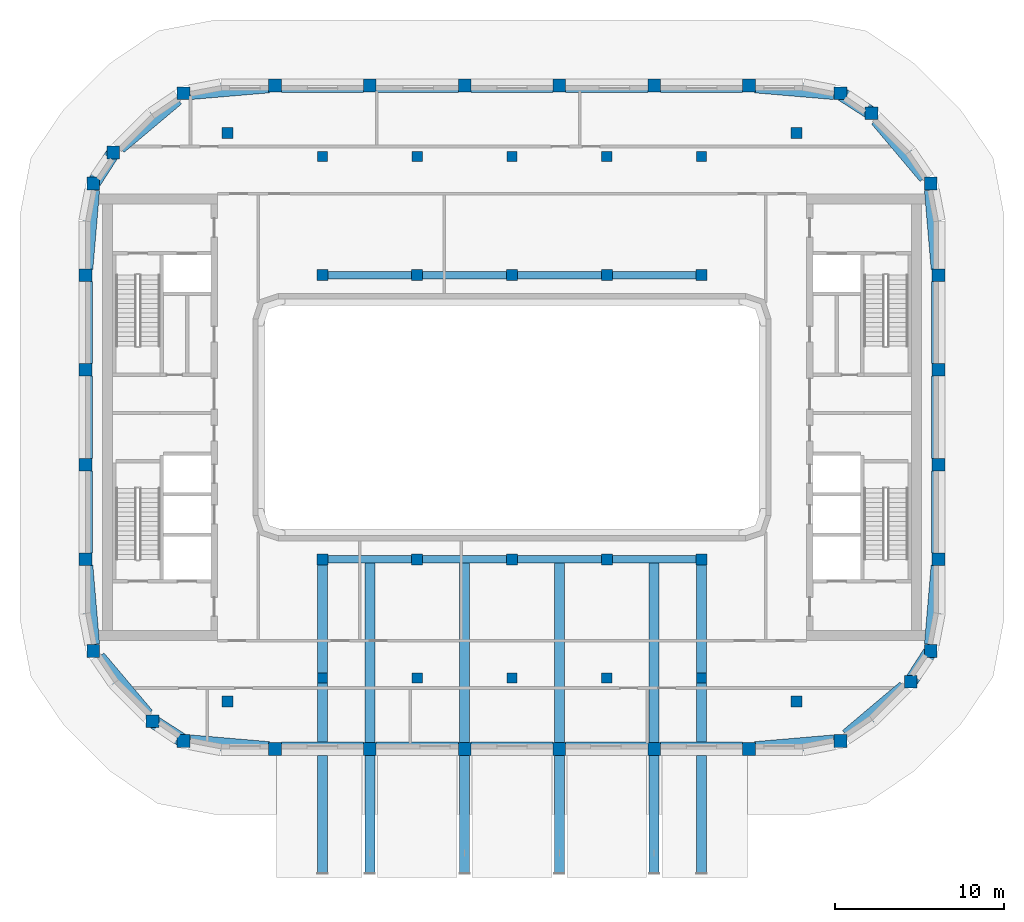
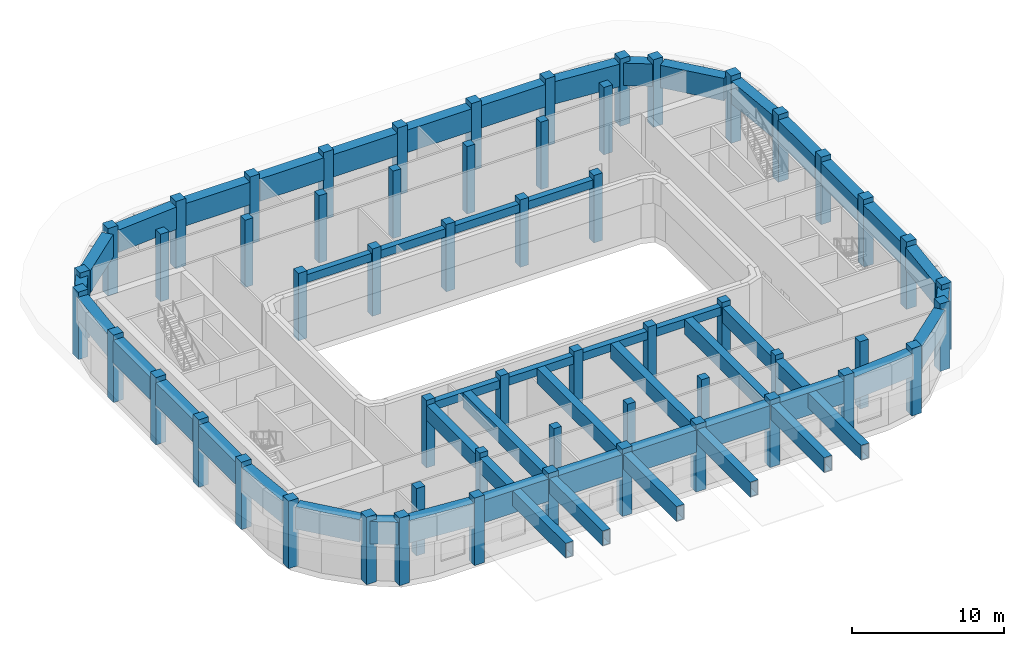
# One storey, part 1 of 17: 56 columns, 52 beams.
"""IFC4 building model written with IfcOpenShell, lengths in metres."""

from ifc_helpers import new_model, si_unit, direction, frame, origin, origin_2d, place, context, subcontext, project, spatial, rectangle, hollow_rectangle, extrude, material, material_profile, profile_set, type_object, element, save


model = new_model("IFC4")

# Units and contexts
model_context = context("Model", 3, precision=1e-05, world=origin(), true_north=direction((0.0, 1.0)))
body_context = subcontext(model_context, "Body", "Model", "MODEL_VIEW")
ifc_project = project(units=[si_unit("LENGTHUNIT", "METRE"), si_unit("AREAUNIT", "SQUARE_METRE"), si_unit("VOLUMEUNIT", "CUBIC_METRE"), si_unit("PLANEANGLEUNIT", "RADIAN"), si_unit("MASSUNIT", "GRAM", prefix="KILO")], contexts=[model_context])

# Site, building, storey
site_placement = place(None, origin())
site = spatial("IfcSite", under=ifc_project, at=site_placement, CompositionType="ELEMENT")
building_placement = place(site_placement, origin())
building = spatial("IfcBuilding", under=site, at=building_placement, Name="Kiln Ring Residences", CompositionType="ELEMENT")
storey_placement = place(building_placement, frame((0.0, 0.0, 289.10009765625)))
storey = spatial("IfcBuildingStorey", under=building, at=storey_placement, Name="L75", CompositionType="ELEMENT", Elevation=289.10009765625)

# Columns
ifc_material_1 = material(Name="Concrete C60/75", Category="concrete")
ifc_material_profile_1 = material_profile(ifc_material_1, rectangle(XDim=0.60009765625, YDim=0.60009765625, at=origin_2d()), Name="RC600x600")
ifc_profile_set_1 = profile_set([ifc_material_profile_1], Name="Concrete C60/75")
column_type_1 = type_object("IfcColumnType", Name="Corridor column RC600x600 C60/75", PredefinedType="COLUMN", material=ifc_profile_set_1)
for number, where, z_axis, x_axis, name in (
    (1, (-11.199951171875, 15.39990234375, 0.0), (0.0, 0.0, 1.0), (1.0, 0.0, 0.0), "Corridor column L75 1"),
    (2, (-5.60009765625, 15.39990234375, 0.0), (0.0, 0.0, 1.0), (1.0, 0.0, 0.0), "Corridor column L75 2"),
    (3, (0.0, 15.39990234375, 0.0), (0.0, 0.0, 1.0), (1.0, 0.0, 0.0), "Corridor column L75 3"),
    (4, (5.60009765625, 15.39990234375, 0.0), (0.0, 0.0, 1.0), (1.0, 0.0, 0.0), "Corridor column L75 4"),
    (5, (11.199951171875, 15.39990234375, 0.0), (0.0, 0.0, 1.0), (1.0, 0.0, 0.0), "Corridor column L75 5"),
    (6, (-11.199951171875, -15.39990234375, 0.0), (0.0, 0.0, 1.0), (1.0, 0.0, 0.0), "Corridor column L75 6"),
    (7, (-5.60009765625, -15.39990234375, 0.0), (0.0, 0.0, 1.0), (1.0, 0.0, 0.0), "Corridor column L75 7"),
    (8, (0.0, -15.39990234375, 0.0), (0.0, 0.0, 1.0), (1.0, 0.0, 0.0), "Corridor column L75 8"),
    (9, (5.60009765625, -15.39990234375, 0.0), (0.0, 0.0, 1.0), (1.0, 0.0, 0.0), "Corridor column L75 9"),
    (10, (11.199951171875, -15.39990234375, 0.0), (0.0, 0.0, 1.0), (1.0, 0.0, 0.0), "Corridor column L75 10"),
):
    element("IfcColumn", number, at=place(storey_placement, frame(where, z_axis=z_axis, x_axis=x_axis)), inside=storey, type_object=column_type_1, Name=name, PredefinedType="COLUMN", context=body_context, shape_type="SweptSolid", body=[
        extrude(rectangle(XDim=0.60009765625, YDim=0.60009765625, at=origin_2d()), origin(), (0.0, 0.0, 1.0), 5.39990234375),
    ])
ifc_material_2 = material(Name="Concrete C60/75", Category="concrete")
ifc_material_profile_2 = material_profile(ifc_material_2, rectangle(XDim=0.75, YDim=0.75, at=origin_2d()), Name="RC750x750")
ifc_profile_set_2 = profile_set([ifc_material_profile_2], Name="Concrete C60/75")
column_type_2 = type_object("IfcColumnType", Name="Perimeter column RC750x750 C60/75", PredefinedType="COLUMN", material=ifc_profile_set_2)
for number, where, z_axis, x_axis, name in (
    (11, (-19.40869140625, -19.13818359375, 0.0), (0.0, 0.0, 1.0), (1.0, 0.0, 0.0), "Perimeter column L75 1"),
    (12, (-14.0, -19.60009765625, 0.0), (0.0, 0.0, 1.0), (1.0, 0.0, 0.0), "Perimeter column L75 2"),
    (13, (-8.39990234375, -19.60009765625, 0.0), (0.0, 0.0, 1.0), (1.0, 0.0, 0.0), "Perimeter column L75 3"),
    (14, (-2.800048828125, -19.60009765625, 0.0), (0.0, 0.0, 1.0), (1.0, 0.0, 0.0), "Perimeter column L75 4"),
    (15, (2.800048828125, -19.60009765625, 0.0), (0.0, 0.0, 1.0), (1.0, 0.0, 0.0), "Perimeter column L75 5"),
    (16, (8.39990234375, -19.60009765625, 0.0), (0.0, 0.0, 1.0), (1.0, 0.0, 0.0), "Perimeter column L75 6"),
    (17, (14.0, -19.60009765625, 0.0), (0.0, 0.0, 1.0), (1.0, 0.0, 0.0), "Perimeter column L75 7"),
    (18, (19.40869140625, -19.13818359375, 0.0), (0.0, 0.0, 1.0), (1.0, 0.0, 0.0), "Perimeter column L75 8"),
    (19, (23.559814453125, -15.64013671875, 0.0), (0.0, 0.0, 1.0), (1.0, 0.0, 0.0), "Perimeter column L75 9"),
    (20, (24.738037109375, -13.80859375, 0.0), (0.0, 0.0, 1.0), (1.0, 0.0, 0.0), "Perimeter column L75 10"),
    (21, (25.199951171875, -8.39990234375, 0.0), (0.0, 0.0, 1.0), (1.0, 0.0, 0.0), "Perimeter column L75 11"),
    (22, (25.199951171875, -2.800048828125, 0.0), (0.0, 0.0, 1.0), (1.0, 0.0, 0.0), "Perimeter column L75 12"),
    (23, (25.199951171875, 2.800048828125, 0.0), (0.0, 0.0, 1.0), (1.0, 0.0, 0.0), "Perimeter column L75 13"),
    (24, (25.199951171875, 8.39990234375, 0.0), (0.0, 0.0, 1.0), (1.0, 0.0, 0.0), "Perimeter column L75 14"),
    (25, (24.738037109375, 13.80859375, 0.0), (0.0, 0.0, 1.0), (1.0, 0.0, 0.0), "Perimeter column L75 15"),
    (26, (21.240234375, 17.959716796875, 0.0), (0.0, 0.0, 1.0), (1.0, 0.0, 0.0), "Perimeter column L75 16"),
    (27, (19.40869140625, 19.13818359375, 0.0), (0.0, 0.0, 1.0), (1.0, 0.0, 0.0), "Perimeter column L75 17"),
    (28, (14.0, 19.60009765625, 0.0), (0.0, 0.0, 1.0), (1.0, 0.0, 0.0), "Perimeter column L75 18"),
    (29, (8.39990234375, 19.60009765625, 0.0), (0.0, 0.0, 1.0), (1.0, 0.0, 0.0), "Perimeter column L75 19"),
    (30, (2.800048828125, 19.60009765625, 0.0), (0.0, 0.0, 1.0), (1.0, 0.0, 0.0), "Perimeter column L75 20"),
    (31, (-2.800048828125, 19.60009765625, 0.0), (0.0, 0.0, 1.0), (1.0, 0.0, 0.0), "Perimeter column L75 21"),
    (32, (-8.39990234375, 19.60009765625, 0.0), (0.0, 0.0, 1.0), (1.0, 0.0, 0.0), "Perimeter column L75 22"),
    (33, (-14.0, 19.60009765625, 0.0), (0.0, 0.0, 1.0), (1.0, 0.0, 0.0), "Perimeter column L75 23"),
    (34, (-19.40869140625, 19.13818359375, 0.0), (0.0, 0.0, 1.0), (1.0, 0.0, 0.0), "Perimeter column L75 24"),
    (35, (-23.559814453125, 15.64013671875, 0.0), (0.0, 0.0, 1.0), (1.0, 0.0, 0.0), "Perimeter column L75 25"),
    (36, (-24.738037109375, 13.80859375, 0.0), (0.0, 0.0, 1.0), (1.0, 0.0, 0.0), "Perimeter column L75 26"),
    (37, (-25.199951171875, 8.39990234375, 0.0), (0.0, 0.0, 1.0), (1.0, 0.0, 0.0), "Perimeter column L75 27"),
    (38, (-25.199951171875, 2.800048828125, 0.0), (0.0, 0.0, 1.0), (1.0, 0.0, 0.0), "Perimeter column L75 28"),
    (39, (-25.199951171875, -2.800048828125, 0.0), (0.0, 0.0, 1.0), (1.0, 0.0, 0.0), "Perimeter column L75 29"),
    (40, (-25.199951171875, -8.39990234375, 0.0), (0.0, 0.0, 1.0), (1.0, 0.0, 0.0), "Perimeter column L75 30"),
    (41, (-24.738037109375, -13.80859375, 0.0), (0.0, 0.0, 1.0), (1.0, 0.0, 0.0), "Perimeter column L75 31"),
    (42, (-21.240234375, -17.959716796875, 0.0), (0.0, 0.0, 1.0), (1.0, 0.0, 0.0), "Perimeter column L75 32"),
):
    element("IfcColumn", number, at=place(storey_placement, frame(where, z_axis=z_axis, x_axis=x_axis)), inside=storey, type_object=column_type_2, Name=name, PredefinedType="COLUMN", context=body_context, shape_type="SweptSolid", body=[
        extrude(rectangle(XDim=0.75, YDim=0.75, at=origin_2d()), origin(), (0.0, 0.0, 1.0), 5.39990234375),
    ])
ifc_material_3 = material(Name="Concrete C60/75", Category="concrete")
ifc_material_profile_3 = material_profile(ifc_material_3, rectangle(XDim=0.64990234375, YDim=0.64990234375, at=origin_2d()), Name="RC650x650")
ifc_profile_set_3 = profile_set([ifc_material_profile_3], Name="Concrete C60/75")
column_type_3 = type_object("IfcColumnType", Name="Ring column RC650x650 C60/75", PredefinedType="COLUMN", material=ifc_profile_set_3)
for number, where, z_axis, x_axis, name in (
    (43, (-16.800048828125, -16.800048828125, 0.0), (0.0, 0.0, 1.0), (1.0, 0.0, 0.0), "Ring column L75 1"),
    (44, (-16.800048828125, 16.800048828125, 0.0), (0.0, 0.0, 1.0), (1.0, 0.0, 0.0), "Ring column L75 2"),
    (45, (-11.199951171875, -8.39990234375, 0.0), (0.0, 0.0, 1.0), (1.0, 0.0, 0.0), "Ring column L75 3"),
    (46, (-11.199951171875, 8.39990234375, 0.0), (0.0, 0.0, 1.0), (1.0, 0.0, 0.0), "Ring column L75 4"),
    (47, (-5.60009765625, -8.39990234375, 0.0), (0.0, 0.0, 1.0), (1.0, 0.0, 0.0), "Ring column L75 5"),
    (48, (-5.60009765625, 8.39990234375, 0.0), (0.0, 0.0, 1.0), (1.0, 0.0, 0.0), "Ring column L75 6"),
    (49, (0.0, -8.39990234375, 0.0), (0.0, 0.0, 1.0), (1.0, 0.0, 0.0), "Ring column L75 7"),
    (50, (0.0, 8.39990234375, 0.0), (0.0, 0.0, 1.0), (1.0, 0.0, 0.0), "Ring column L75 8"),
    (51, (5.60009765625, -8.39990234375, 0.0), (0.0, 0.0, 1.0), (1.0, 0.0, 0.0), "Ring column L75 9"),
    (52, (5.60009765625, 8.39990234375, 0.0), (0.0, 0.0, 1.0), (1.0, 0.0, 0.0), "Ring column L75 10"),
    (53, (11.199951171875, -8.39990234375, 0.0), (0.0, 0.0, 1.0), (1.0, 0.0, 0.0), "Ring column L75 11"),
    (54, (11.199951171875, 8.39990234375, 0.0), (0.0, 0.0, 1.0), (1.0, 0.0, 0.0), "Ring column L75 12"),
    (55, (16.800048828125, -16.800048828125, 0.0), (0.0, 0.0, 1.0), (1.0, 0.0, 0.0), "Ring column L75 13"),
    (56, (16.800048828125, 16.800048828125, 0.0), (0.0, 0.0, 1.0), (1.0, 0.0, 0.0), "Ring column L75 14"),
):
    element("IfcColumn", number, at=place(storey_placement, frame(where, z_axis=z_axis, x_axis=x_axis)), inside=storey, type_object=column_type_3, Name=name, PredefinedType="COLUMN", context=body_context, shape_type="SweptSolid", body=[
        extrude(rectangle(XDim=0.64990234375, YDim=0.64990234375, at=origin_2d()), origin(), (0.0, 0.0, 1.0), 5.39990234375),
    ])

# Beams
ifc_material_4 = material(Name="Concrete C70/85", Category="concrete")
ifc_material_profile_4 = material_profile(ifc_material_4, rectangle(XDim=0.800048828125, YDim=1.800048828125, at=origin_2d()), Name="RC800x1800")
ifc_profile_set_4 = profile_set([ifc_material_profile_4], Name="Concrete C70/85")
beam_type_1 = type_object("IfcBeamType", Name="Belt girder RC800x1800 C70/85", PredefinedType="BEAM", material=ifc_profile_set_4)
beam_1_placement = place(storey_placement, frame((-19.03369140625, -19.170166015625, 4.099853515625), z_axis=(0.996375913916, -0.085059027553, 0.0), x_axis=(0.085059027553, 0.996375913916, 0.0)))
element("IfcBeam", 57, at=beam_1_placement, inside=storey, type_object=beam_type_1, Name="Belt girder L75 1", PredefinedType="BEAM", context=body_context, shape_type="SweptSolid", body=[
    extrude(rectangle(XDim=0.800048828125, YDim=1.800048828125, at=origin_2d()), origin(), (0.0, 0.0, 1.0), 4.675537109375),
])
beam_2_placement = place(storey_placement, frame((-13.625, -19.60009765625, 4.099853515625), z_axis=(1.0, 0.0, 0.0), x_axis=(0.0, 1.0, 0.0)))
element("IfcBeam", 58, at=beam_2_placement, inside=storey, type_object=beam_type_1, Name="Belt girder L75 2", PredefinedType="BEAM", context=body_context, shape_type="SweptSolid", body=[
    extrude(rectangle(XDim=0.800048828125, YDim=1.800048828125, at=origin_2d()), origin(), (0.0, 0.0, 1.0), 4.85009765625),
])
beam_3_placement = place(storey_placement, frame((-8.02490234375, -19.60009765625, 4.099853515625), z_axis=(1.0, 0.0, 0.0), x_axis=(0.0, 1.0, 0.0)))
element("IfcBeam", 59, at=beam_3_placement, inside=storey, type_object=beam_type_1, Name="Belt girder L75 3", PredefinedType="BEAM", context=body_context, shape_type="SweptSolid", body=[
    extrude(rectangle(XDim=0.800048828125, YDim=1.800048828125, at=origin_2d()), origin(), (0.0, 0.0, 1.0), 4.849853515625),
])
beam_4_placement = place(storey_placement, frame((-2.425048828125, -19.60009765625, 4.099853515625), z_axis=(1.0, 0.0, 0.0), x_axis=(0.0, 1.0, 0.0)))
element("IfcBeam", 60, at=beam_4_placement, inside=storey, type_object=beam_type_1, Name="Belt girder L75 4", PredefinedType="BEAM", context=body_context, shape_type="SweptSolid", body=[
    extrude(rectangle(XDim=0.800048828125, YDim=1.800048828125, at=origin_2d()), origin(), (0.0, 0.0, 1.0), 4.85009765625),
])
beam_5_placement = place(storey_placement, frame((3.175048828125, -19.60009765625, 4.099853515625), z_axis=(1.0, 0.0, 0.0), x_axis=(0.0, 1.0, 0.0)))
element("IfcBeam", 61, at=beam_5_placement, inside=storey, type_object=beam_type_1, Name="Belt girder L75 5", PredefinedType="BEAM", context=body_context, shape_type="SweptSolid", body=[
    extrude(rectangle(XDim=0.800048828125, YDim=1.800048828125, at=origin_2d()), origin(), (0.0, 0.0, 1.0), 4.849853515625),
])
beam_6_placement = place(storey_placement, frame((8.77490234375, -19.60009765625, 4.099853515625), z_axis=(1.0, 0.0, 0.0), x_axis=(0.0, 1.0, 0.0)))
element("IfcBeam", 62, at=beam_6_placement, inside=storey, type_object=beam_type_1, Name="Belt girder L75 6", PredefinedType="BEAM", context=body_context, shape_type="SweptSolid", body=[
    extrude(rectangle(XDim=0.800048828125, YDim=1.800048828125, at=origin_2d()), origin(), (0.0, 0.0, 1.0), 4.85009765625),
])
beam_7_placement = place(storey_placement, frame((14.375, -19.56787109375, 4.099853515625), z_axis=(0.996375913916, 0.085059027553, 0.0), x_axis=(-0.085059027553, 0.996375913916, 0.0)))
element("IfcBeam", 63, at=beam_7_placement, inside=storey, type_object=beam_type_1, Name="Belt girder L75 7", PredefinedType="BEAM", context=body_context, shape_type="SweptSolid", body=[
    extrude(rectangle(XDim=0.800048828125, YDim=1.800048828125, at=origin_2d()), origin(), (0.0, 0.0, 1.0), 4.675537109375),
])
beam_8_placement = place(storey_placement, frame((19.78369140625, -18.822021484375, 4.099853515625), z_axis=(0.764731805725, 0.644348714062, 0.0), x_axis=(-0.644348714062, 0.764731805725, 0.0)))
element("IfcBeam", 64, at=beam_8_placement, inside=storey, type_object=beam_type_1, Name="Belt girder L75 8", PredefinedType="BEAM", context=body_context, shape_type="SweptSolid", body=[
    extrude(rectangle(XDim=0.800048828125, YDim=1.800048828125, at=origin_2d()), origin(), (0.0, 0.0, 1.0), 4.447509765625),
])
beam_9_placement = place(storey_placement, frame((23.61328125, -15.55712890625, 4.099853515625), z_axis=(0.541025522573, 0.841006173535, 0.0), x_axis=(-0.841006173535, 0.541025522573, 0.0)))
element("IfcBeam", 65, at=beam_9_placement, inside=storey, type_object=beam_type_1, Name="Belt girder L75 9", PredefinedType="BEAM", context=body_context, shape_type="SweptSolid", body=[
    extrude(rectangle(XDim=0.800048828125, YDim=1.800048828125, at=origin_2d()), origin(), (0.0, 0.0, 1.0), 1.980224609375),
])
beam_10_placement = place(storey_placement, frame((24.77001953125, -13.43359375, 4.099853515625), z_axis=(0.085110864913, 0.996371487285, 0.0), x_axis=(-0.996371487285, 0.085110864913, 0.0)))
element("IfcBeam", 66, at=beam_10_placement, inside=storey, type_object=beam_type_1, Name="Belt girder L75 10", PredefinedType="BEAM", context=body_context, shape_type="SweptSolid", body=[
    extrude(rectangle(XDim=0.800048828125, YDim=1.800048828125, at=origin_2d()), origin(), (0.0, 0.0, 1.0), 4.675537109375),
])
beam_11_placement = place(storey_placement, frame((25.199951171875, -8.02490234375, 4.099853515625), z_axis=(0.0, 1.0, 0.0), x_axis=(-1.0, 0.0, 0.0)))
element("IfcBeam", 67, at=beam_11_placement, inside=storey, type_object=beam_type_1, Name="Belt girder L75 11", PredefinedType="BEAM", context=body_context, shape_type="SweptSolid", body=[
    extrude(rectangle(XDim=0.800048828125, YDim=1.800048828125, at=origin_2d()), origin(), (0.0, 0.0, 1.0), 4.849853515625),
])
beam_12_placement = place(storey_placement, frame((25.199951171875, -2.425048828125, 4.099853515625), z_axis=(0.0, 1.0, 0.0), x_axis=(-1.0, 0.0, 0.0)))
element("IfcBeam", 68, at=beam_12_placement, inside=storey, type_object=beam_type_1, Name="Belt girder L75 12", PredefinedType="BEAM", context=body_context, shape_type="SweptSolid", body=[
    extrude(rectangle(XDim=0.800048828125, YDim=1.800048828125, at=origin_2d()), origin(), (0.0, 0.0, 1.0), 4.85009765625),
])
beam_13_placement = place(storey_placement, frame((25.199951171875, 3.175048828125, 4.099853515625), z_axis=(0.0, 1.0, 0.0), x_axis=(-1.0, 0.0, 0.0)))
element("IfcBeam", 69, at=beam_13_placement, inside=storey, type_object=beam_type_1, Name="Belt girder L75 13", PredefinedType="BEAM", context=body_context, shape_type="SweptSolid", body=[
    extrude(rectangle(XDim=0.800048828125, YDim=1.800048828125, at=origin_2d()), origin(), (0.0, 0.0, 1.0), 4.849853515625),
])
beam_14_placement = place(storey_placement, frame((25.16796875, 8.77490234375, 4.099853515625), z_axis=(-0.085110864913, 0.996371487285, 0.0), x_axis=(-0.996371487285, -0.085110864913, 0.0)))
element("IfcBeam", 70, at=beam_14_placement, inside=storey, type_object=beam_type_1, Name="Belt girder L75 14", PredefinedType="BEAM", context=body_context, shape_type="SweptSolid", body=[
    extrude(rectangle(XDim=0.800048828125, YDim=1.800048828125, at=origin_2d()), origin(), (0.0, 0.0, 1.0), 4.675537109375),
])
beam_15_placement = place(storey_placement, frame((24.422119140625, 14.18359375, 4.099853515625), z_axis=(-0.644380815325, 0.764704756648, 0.0), x_axis=(-0.764704756648, -0.644380815325, 0.0)))
element("IfcBeam", 71, at=beam_15_placement, inside=storey, type_object=beam_type_1, Name="Belt girder L75 15", PredefinedType="BEAM", context=body_context, shape_type="SweptSolid", body=[
    extrude(rectangle(XDim=0.800048828125, YDim=1.800048828125, at=origin_2d()), origin(), (0.0, 0.0, 1.0), 4.447509765625),
])
beam_16_placement = place(storey_placement, frame((21.156982421875, 18.013427734375, 4.099853515625), z_axis=(-0.841026187063, 0.540994410945, 0.0), x_axis=(-0.540994410945, -0.841026187063, 0.0)))
element("IfcBeam", 72, at=beam_16_placement, inside=storey, type_object=beam_type_1, Name="Belt girder L75 16", PredefinedType="BEAM", context=body_context, shape_type="SweptSolid", body=[
    extrude(rectangle(XDim=0.800048828125, YDim=1.800048828125, at=origin_2d()), origin(), (0.0, 0.0, 1.0), 1.979736328125),
])
beam_17_placement = place(storey_placement, frame((19.03369140625, 19.170166015625, 4.099853515625), z_axis=(-0.996375913916, 0.085059027553, 0.0), x_axis=(-0.085059027553, -0.996375913916, 0.0)))
element("IfcBeam", 73, at=beam_17_placement, inside=storey, type_object=beam_type_1, Name="Belt girder L75 17", PredefinedType="BEAM", context=body_context, shape_type="SweptSolid", body=[
    extrude(rectangle(XDim=0.800048828125, YDim=1.800048828125, at=origin_2d()), origin(), (0.0, 0.0, 1.0), 4.675537109375),
])
beam_18_placement = place(storey_placement, frame((13.625, 19.60009765625, 4.099853515625), z_axis=(-1.0, 0.0, 0.0), x_axis=(0.0, -1.0, 0.0)))
element("IfcBeam", 74, at=beam_18_placement, inside=storey, type_object=beam_type_1, Name="Belt girder L75 18", PredefinedType="BEAM", context=body_context, shape_type="SweptSolid", body=[
    extrude(rectangle(XDim=0.800048828125, YDim=1.800048828125, at=origin_2d()), origin(), (0.0, 0.0, 1.0), 4.85009765625),
])
beam_19_placement = place(storey_placement, frame((8.02490234375, 19.60009765625, 4.099853515625), z_axis=(-1.0, 0.0, 0.0), x_axis=(0.0, -1.0, 0.0)))
element("IfcBeam", 75, at=beam_19_placement, inside=storey, type_object=beam_type_1, Name="Belt girder L75 19", PredefinedType="BEAM", context=body_context, shape_type="SweptSolid", body=[
    extrude(rectangle(XDim=0.800048828125, YDim=1.800048828125, at=origin_2d()), origin(), (0.0, 0.0, 1.0), 4.849853515625),
])
beam_20_placement = place(storey_placement, frame((2.425048828125, 19.60009765625, 4.099853515625), z_axis=(-1.0, 0.0, 0.0), x_axis=(0.0, -1.0, 0.0)))
element("IfcBeam", 76, at=beam_20_placement, inside=storey, type_object=beam_type_1, Name="Belt girder L75 20", PredefinedType="BEAM", context=body_context, shape_type="SweptSolid", body=[
    extrude(rectangle(XDim=0.800048828125, YDim=1.800048828125, at=origin_2d()), origin(), (0.0, 0.0, 1.0), 4.85009765625),
])
beam_21_placement = place(storey_placement, frame((-3.175048828125, 19.60009765625, 4.099853515625), z_axis=(-1.0, 0.0, 0.0), x_axis=(0.0, -1.0, 0.0)))
element("IfcBeam", 77, at=beam_21_placement, inside=storey, type_object=beam_type_1, Name="Belt girder L75 21", PredefinedType="BEAM", context=body_context, shape_type="SweptSolid", body=[
    extrude(rectangle(XDim=0.800048828125, YDim=1.800048828125, at=origin_2d()), origin(), (0.0, 0.0, 1.0), 4.849853515625),
])
beam_22_placement = place(storey_placement, frame((-8.77490234375, 19.60009765625, 4.099853515625), z_axis=(-1.0, 0.0, 0.0), x_axis=(0.0, -1.0, 0.0)))
element("IfcBeam", 78, at=beam_22_placement, inside=storey, type_object=beam_type_1, Name="Belt girder L75 22", PredefinedType="BEAM", context=body_context, shape_type="SweptSolid", body=[
    extrude(rectangle(XDim=0.800048828125, YDim=1.800048828125, at=origin_2d()), origin(), (0.0, 0.0, 1.0), 4.85009765625),
])
beam_23_placement = place(storey_placement, frame((-14.375, 19.56787109375, 4.099853515625), z_axis=(-0.996375913916, -0.085059027553, 0.0), x_axis=(0.085059027553, -0.996375913916, 0.0)))
element("IfcBeam", 79, at=beam_23_placement, inside=storey, type_object=beam_type_1, Name="Belt girder L75 23", PredefinedType="BEAM", context=body_context, shape_type="SweptSolid", body=[
    extrude(rectangle(XDim=0.800048828125, YDim=1.800048828125, at=origin_2d()), origin(), (0.0, 0.0, 1.0), 4.675537109375),
])
beam_24_placement = place(storey_placement, frame((-19.78369140625, 18.822021484375, 4.099853515625), z_axis=(-0.764731805725, -0.644348714062, 0.0), x_axis=(0.644348714062, -0.764731805725, 0.0)))
element("IfcBeam", 80, at=beam_24_placement, inside=storey, type_object=beam_type_1, Name="Belt girder L75 24", PredefinedType="BEAM", context=body_context, shape_type="SweptSolid", body=[
    extrude(rectangle(XDim=0.800048828125, YDim=1.800048828125, at=origin_2d()), origin(), (0.0, 0.0, 1.0), 4.447509765625),
])
beam_25_placement = place(storey_placement, frame((-23.61328125, 15.55712890625, 4.099853515625), z_axis=(-0.541025522573, -0.841006173535, 0.0), x_axis=(0.841006173535, -0.541025522573, 0.0)))
element("IfcBeam", 81, at=beam_25_placement, inside=storey, type_object=beam_type_1, Name="Belt girder L75 25", PredefinedType="BEAM", context=body_context, shape_type="SweptSolid", body=[
    extrude(rectangle(XDim=0.800048828125, YDim=1.800048828125, at=origin_2d()), origin(), (0.0, 0.0, 1.0), 1.980224609375),
])
beam_26_placement = place(storey_placement, frame((-24.77001953125, 13.43359375, 4.099853515625), z_axis=(-0.085110864913, -0.996371487285, 0.0), x_axis=(0.996371487285, -0.085110864913, 0.0)))
element("IfcBeam", 82, at=beam_26_placement, inside=storey, type_object=beam_type_1, Name="Belt girder L75 26", PredefinedType="BEAM", context=body_context, shape_type="SweptSolid", body=[
    extrude(rectangle(XDim=0.800048828125, YDim=1.800048828125, at=origin_2d()), origin(), (0.0, 0.0, 1.0), 4.675537109375),
])
beam_27_placement = place(storey_placement, frame((-25.199951171875, 8.02490234375, 4.099853515625), z_axis=(0.0, -1.0, 0.0), x_axis=(1.0, 0.0, 0.0)))
element("IfcBeam", 83, at=beam_27_placement, inside=storey, type_object=beam_type_1, Name="Belt girder L75 27", PredefinedType="BEAM", context=body_context, shape_type="SweptSolid", body=[
    extrude(rectangle(XDim=0.800048828125, YDim=1.800048828125, at=origin_2d()), origin(), (0.0, 0.0, 1.0), 4.849853515625),
])
beam_28_placement = place(storey_placement, frame((-25.199951171875, 2.425048828125, 4.099853515625), z_axis=(0.0, -1.0, 0.0), x_axis=(1.0, 0.0, 0.0)))
element("IfcBeam", 84, at=beam_28_placement, inside=storey, type_object=beam_type_1, Name="Belt girder L75 28", PredefinedType="BEAM", context=body_context, shape_type="SweptSolid", body=[
    extrude(rectangle(XDim=0.800048828125, YDim=1.800048828125, at=origin_2d()), origin(), (0.0, 0.0, 1.0), 4.85009765625),
])
beam_29_placement = place(storey_placement, frame((-25.199951171875, -3.175048828125, 4.099853515625), z_axis=(0.0, -1.0, 0.0), x_axis=(1.0, 0.0, 0.0)))
element("IfcBeam", 85, at=beam_29_placement, inside=storey, type_object=beam_type_1, Name="Belt girder L75 29", PredefinedType="BEAM", context=body_context, shape_type="SweptSolid", body=[
    extrude(rectangle(XDim=0.800048828125, YDim=1.800048828125, at=origin_2d()), origin(), (0.0, 0.0, 1.0), 4.849853515625),
])
beam_30_placement = place(storey_placement, frame((-25.16796875, -8.77490234375, 4.099853515625), z_axis=(0.085110864913, -0.996371487285, 0.0), x_axis=(0.996371487285, 0.085110864913, 0.0)))
element("IfcBeam", 86, at=beam_30_placement, inside=storey, type_object=beam_type_1, Name="Belt girder L75 30", PredefinedType="BEAM", context=body_context, shape_type="SweptSolid", body=[
    extrude(rectangle(XDim=0.800048828125, YDim=1.800048828125, at=origin_2d()), origin(), (0.0, 0.0, 1.0), 4.675537109375),
])
beam_31_placement = place(storey_placement, frame((-24.422119140625, -14.18359375, 4.099853515625), z_axis=(0.644380815325, -0.764704756648, 0.0), x_axis=(0.764704756648, 0.644380815325, 0.0)))
element("IfcBeam", 87, at=beam_31_placement, inside=storey, type_object=beam_type_1, Name="Belt girder L75 31", PredefinedType="BEAM", context=body_context, shape_type="SweptSolid", body=[
    extrude(rectangle(XDim=0.800048828125, YDim=1.800048828125, at=origin_2d()), origin(), (0.0, 0.0, 1.0), 4.447509765625),
])
beam_32_placement = place(storey_placement, frame((-21.156982421875, -18.013427734375, 4.099853515625), z_axis=(0.841026187063, -0.540994410945, 0.0), x_axis=(0.540994410945, 0.841026187063, 0.0)))
element("IfcBeam", 88, at=beam_32_placement, inside=storey, type_object=beam_type_1, Name="Belt girder L75 32", PredefinedType="BEAM", context=body_context, shape_type="SweptSolid", body=[
    extrude(rectangle(XDim=0.800048828125, YDim=1.800048828125, at=origin_2d()), origin(), (0.0, 0.0, 1.0), 1.979736328125),
])
ifc_material_5 = material(Name="Steel S460", Category="steel")
ifc_material_profile_5 = material_profile(ifc_material_5, hollow_rectangle(XDim=0.60009765625, YDim=1.199951171875, WallThickness=0.06005859375, at=origin_2d()), Name="BOX1200x600x60")
ifc_profile_set_5 = profile_set([ifc_material_profile_5], Name="Steel S460")
beam_type_2 = type_object("IfcBeamType", Name="Cantilever girder BOX1200x600x60 S460", PredefinedType="BEAM", material=ifc_profile_set_5)
beam_33_placement = place(storey_placement, frame((-11.199951171875, -26.949951171875, 4.39990234375), z_axis=(0.0, 1.0, 0.0), x_axis=(-1.0, 0.0, 0.0)))
element("IfcBeam", 89, at=beam_33_placement, inside=storey, type_object=beam_type_2, Name="Cantilever girder L75 1", PredefinedType="BEAM", context=body_context, shape_type="SweptSolid", body=[
    extrude(hollow_rectangle(XDim=0.60009765625, YDim=1.199951171875, WallThickness=0.06005859375, at=origin_2d()), origin(), (0.0, 0.0, 1.0), 6.974853515625),
])
beam_34_placement = place(storey_placement, frame((-11.199951171875, -19.22509765625, 4.39990234375), z_axis=(0.0, 1.0, 0.0), x_axis=(-1.0, 0.0, 0.0)))
element("IfcBeam", 90, at=beam_34_placement, inside=storey, type_object=beam_type_2, Name="Cantilever girder L75 2", PredefinedType="BEAM", context=body_context, shape_type="SweptSolid", body=[
    extrude(hollow_rectangle(XDim=0.60009765625, YDim=1.199951171875, WallThickness=0.06005859375, at=origin_2d()), origin(), (0.0, 0.0, 1.0), 10.60009765625),
])
beam_35_placement = place(storey_placement, frame((-8.39990234375, -26.949951171875, 4.39990234375), z_axis=(0.0, 1.0, 0.0), x_axis=(-1.0, 0.0, 0.0)))
element("IfcBeam", 91, at=beam_35_placement, inside=storey, type_object=beam_type_2, Name="Cantilever girder L75 3", PredefinedType="BEAM", context=body_context, shape_type="SweptSolid", body=[
    extrude(hollow_rectangle(XDim=0.60009765625, YDim=1.199951171875, WallThickness=0.06005859375, at=origin_2d()), origin(), (0.0, 0.0, 1.0), 6.974853515625),
])
beam_36_placement = place(storey_placement, frame((-8.39990234375, -19.22509765625, 4.39990234375), z_axis=(0.0, 1.0, 0.0), x_axis=(-1.0, 0.0, 0.0)))
element("IfcBeam", 92, at=beam_36_placement, inside=storey, type_object=beam_type_2, Name="Cantilever girder L75 4", PredefinedType="BEAM", context=body_context, shape_type="SweptSolid", body=[
    extrude(hollow_rectangle(XDim=0.60009765625, YDim=1.199951171875, WallThickness=0.06005859375, at=origin_2d()), origin(), (0.0, 0.0, 1.0), 10.60009765625),
])
beam_37_placement = place(storey_placement, frame((-2.800048828125, -26.949951171875, 4.39990234375), z_axis=(0.0, 1.0, 0.0), x_axis=(-1.0, 0.0, 0.0)))
element("IfcBeam", 93, at=beam_37_placement, inside=storey, type_object=beam_type_2, Name="Cantilever girder L75 5", PredefinedType="BEAM", context=body_context, shape_type="SweptSolid", body=[
    extrude(hollow_rectangle(XDim=0.60009765625, YDim=1.199951171875, WallThickness=0.06005859375, at=origin_2d()), origin(), (0.0, 0.0, 1.0), 6.974853515625),
])
beam_38_placement = place(storey_placement, frame((-2.800048828125, -19.22509765625, 4.39990234375), z_axis=(0.0, 1.0, 0.0), x_axis=(-1.0, 0.0, 0.0)))
element("IfcBeam", 94, at=beam_38_placement, inside=storey, type_object=beam_type_2, Name="Cantilever girder L75 6", PredefinedType="BEAM", context=body_context, shape_type="SweptSolid", body=[
    extrude(hollow_rectangle(XDim=0.60009765625, YDim=1.199951171875, WallThickness=0.06005859375, at=origin_2d()), origin(), (0.0, 0.0, 1.0), 10.60009765625),
])
beam_39_placement = place(storey_placement, frame((2.800048828125, -26.949951171875, 4.39990234375), z_axis=(0.0, 1.0, 0.0), x_axis=(-1.0, 0.0, 0.0)))
element("IfcBeam", 95, at=beam_39_placement, inside=storey, type_object=beam_type_2, Name="Cantilever girder L75 7", PredefinedType="BEAM", context=body_context, shape_type="SweptSolid", body=[
    extrude(hollow_rectangle(XDim=0.60009765625, YDim=1.199951171875, WallThickness=0.06005859375, at=origin_2d()), origin(), (0.0, 0.0, 1.0), 6.974853515625),
])
beam_40_placement = place(storey_placement, frame((2.800048828125, -19.22509765625, 4.39990234375), z_axis=(0.0, 1.0, 0.0), x_axis=(-1.0, 0.0, 0.0)))
element("IfcBeam", 96, at=beam_40_placement, inside=storey, type_object=beam_type_2, Name="Cantilever girder L75 8", PredefinedType="BEAM", context=body_context, shape_type="SweptSolid", body=[
    extrude(hollow_rectangle(XDim=0.60009765625, YDim=1.199951171875, WallThickness=0.06005859375, at=origin_2d()), origin(), (0.0, 0.0, 1.0), 10.60009765625),
])
beam_41_placement = place(storey_placement, frame((8.39990234375, -26.949951171875, 4.39990234375), z_axis=(0.0, 1.0, 0.0), x_axis=(-1.0, 0.0, 0.0)))
element("IfcBeam", 97, at=beam_41_placement, inside=storey, type_object=beam_type_2, Name="Cantilever girder L75 9", PredefinedType="BEAM", context=body_context, shape_type="SweptSolid", body=[
    extrude(hollow_rectangle(XDim=0.60009765625, YDim=1.199951171875, WallThickness=0.06005859375, at=origin_2d()), origin(), (0.0, 0.0, 1.0), 6.974853515625),
])
beam_42_placement = place(storey_placement, frame((8.39990234375, -19.22509765625, 4.39990234375), z_axis=(0.0, 1.0, 0.0), x_axis=(-1.0, 0.0, 0.0)))
element("IfcBeam", 98, at=beam_42_placement, inside=storey, type_object=beam_type_2, Name="Cantilever girder L75 10", PredefinedType="BEAM", context=body_context, shape_type="SweptSolid", body=[
    extrude(hollow_rectangle(XDim=0.60009765625, YDim=1.199951171875, WallThickness=0.06005859375, at=origin_2d()), origin(), (0.0, 0.0, 1.0), 10.60009765625),
])
beam_43_placement = place(storey_placement, frame((11.199951171875, -26.949951171875, 4.39990234375), z_axis=(0.0, 1.0, 0.0), x_axis=(-1.0, 0.0, 0.0)))
element("IfcBeam", 99, at=beam_43_placement, inside=storey, type_object=beam_type_2, Name="Cantilever girder L75 11", PredefinedType="BEAM", context=body_context, shape_type="SweptSolid", body=[
    extrude(hollow_rectangle(XDim=0.60009765625, YDim=1.199951171875, WallThickness=0.06005859375, at=origin_2d()), origin(), (0.0, 0.0, 1.0), 6.974853515625),
])
beam_44_placement = place(storey_placement, frame((11.199951171875, -19.22509765625, 4.39990234375), z_axis=(0.0, 1.0, 0.0), x_axis=(-1.0, 0.0, 0.0)))
element("IfcBeam", 100, at=beam_44_placement, inside=storey, type_object=beam_type_2, Name="Cantilever girder L75 12", PredefinedType="BEAM", context=body_context, shape_type="SweptSolid", body=[
    extrude(hollow_rectangle(XDim=0.60009765625, YDim=1.199951171875, WallThickness=0.06005859375, at=origin_2d()), origin(), (0.0, 0.0, 1.0), 10.60009765625),
])
ifc_material_6 = material(Name="Concrete C50/60", Category="concrete")
ifc_material_profile_6 = material_profile(ifc_material_6, rectangle(XDim=0.449951171875, YDim=0.64990234375, at=origin_2d()), Name="RC450x650")
ifc_profile_set_6 = profile_set([ifc_material_profile_6], Name="Concrete C50/60")
beam_type_3 = type_object("IfcBeamType", Name="Ring beam RC450x650 C50/60", PredefinedType="BEAM", material=ifc_profile_set_6)
for number, where, z_axis, x_axis, name in (
    (101, (-10.875, -8.39990234375, 4.6748046875), (1.0, 0.0, 0.0), (0.0, 1.0, 0.0), "Ring beam L75 1"),
    (102, (-5.27490234375, -8.39990234375, 4.6748046875), (1.0, 0.0, 0.0), (0.0, 1.0, 0.0), "Ring beam L75 2"),
    (103, (0.324951171875, -8.39990234375, 4.6748046875), (1.0, 0.0, 0.0), (0.0, 1.0, 0.0), "Ring beam L75 3"),
    (104, (5.925048828125, -8.39990234375, 4.6748046875), (1.0, 0.0, 0.0), (0.0, 1.0, 0.0), "Ring beam L75 4"),
    (105, (-10.875, 8.39990234375, 4.6748046875), (1.0, 0.0, 0.0), (0.0, 1.0, 0.0), "Ring beam L75 5"),
    (106, (-5.27490234375, 8.39990234375, 4.6748046875), (1.0, 0.0, 0.0), (0.0, 1.0, 0.0), "Ring beam L75 6"),
    (107, (0.324951171875, 8.39990234375, 4.6748046875), (1.0, 0.0, 0.0), (0.0, 1.0, 0.0), "Ring beam L75 7"),
    (108, (5.925048828125, 8.39990234375, 4.6748046875), (1.0, 0.0, 0.0), (0.0, 1.0, 0.0), "Ring beam L75 8"),
):
    element("IfcBeam", number, at=place(storey_placement, frame(where, z_axis=z_axis, x_axis=x_axis)), inside=storey, type_object=beam_type_3, Name=name, PredefinedType="BEAM", context=body_context, shape_type="SweptSolid", body=[
        extrude(rectangle(XDim=0.449951171875, YDim=0.64990234375, at=origin_2d()), origin(), (0.0, 0.0, 1.0), 4.949951171875),
    ])

save(model, "model.ifc")
